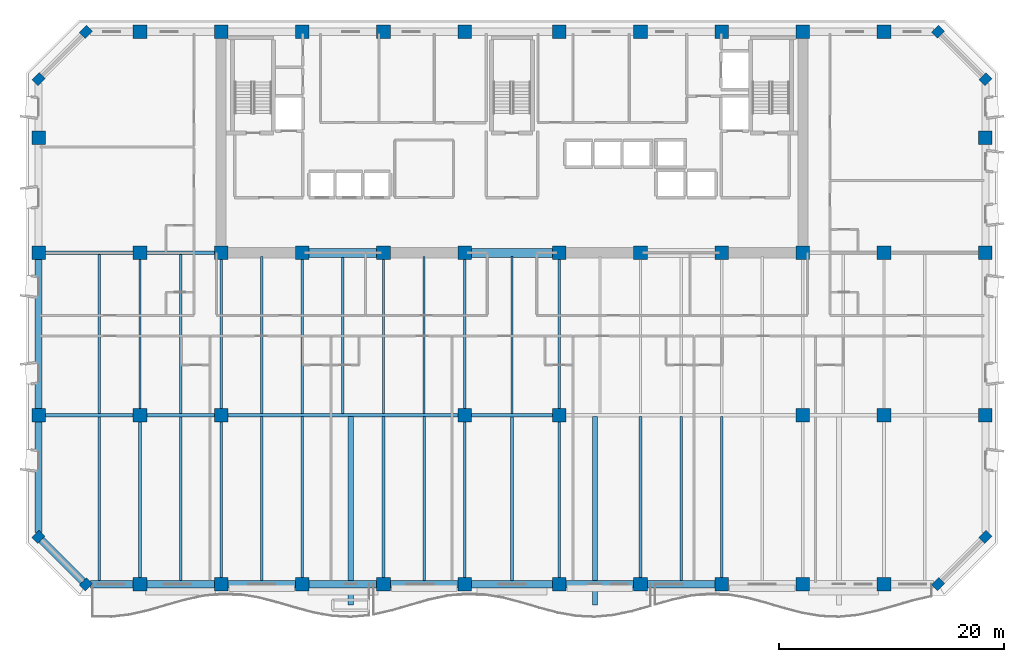
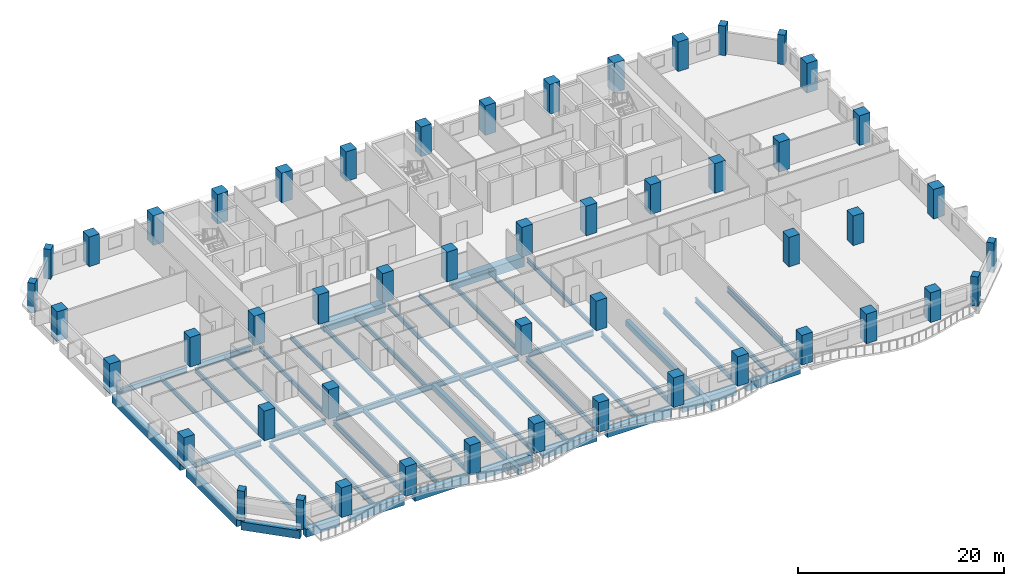
# One storey, part 1 of 15: 50 columns, 47 beams.
"""IFC4 building model written with IfcOpenShell, lengths in metres."""

from ifc_helpers import new_model, si_unit, direction, frame, origin, origin_2d, place, context, subcontext, project, spatial, rectangle, i_section, extrude, material, material_profile, profile_set, type_object, element, save


model = new_model("IFC4")

# Units and contexts
model_context = context("Model", 3, precision=1e-05, world=origin(), true_north=direction((0.0, 1.0)))
body_context = subcontext(model_context, "Body", "Model", "MODEL_VIEW")
ifc_project = project(units=[si_unit("LENGTHUNIT", "METRE"), si_unit("AREAUNIT", "SQUARE_METRE"), si_unit("VOLUMEUNIT", "CUBIC_METRE"), si_unit("PLANEANGLEUNIT", "RADIAN"), si_unit("MASSUNIT", "GRAM", prefix="KILO")], contexts=[model_context])

# Site, building, storey
site_placement = place(None, origin())
site = spatial("IfcSite", under=ifc_project, at=site_placement, CompositionType="ELEMENT")
building_placement = place(site_placement, origin())
building = spatial("IfcBuilding", under=site, at=building_placement, Name="Kaelvorn Grand Hotel", CompositionType="ELEMENT")
storey_placement = place(building_placement, frame((0.0, 0.0, 96.800048828125)))
storey = spatial("IfcBuildingStorey", under=building, at=storey_placement, Name="L22", CompositionType="ELEMENT", Elevation=96.800048828125)

# Columns
ifc_material_1 = material(Name="Concrete C60/75", Category="concrete")
ifc_material_profile_1 = material_profile(ifc_material_1, rectangle(XDim=0.89990234375, YDim=0.75, at=origin_2d()), Name="RC PILASTER 900x750")
ifc_profile_set_1 = profile_set([ifc_material_profile_1], Name="Concrete C60/75")
column_type_1 = type_object("IfcColumnType", Name="COL-PIL-900x750-C60", PredefinedType="PILASTER", material=ifc_profile_set_1)
for number, where, z_axis, x_axis, name in (
    (1, (4.199951171875, 0.0, 0.0), (0.0, 0.0, 1.0), (0.707106781187, 0.707106781187, 0.0), "L22 Structural Column CH-01"),
    (2, (79.800048828125, 0.0, 0.0), (0.0, 0.0, 1.0), (0.707106781187, 0.707106781187, 0.0), "L22 Structural Column CH-02"),
    (3, (84.0, 4.199951171875, 0.0), (0.0, 0.0, 1.0), (0.707106781187, 0.707106781187, 0.0), "L22 Structural Column CH-03"),
    (4, (84.0, 44.800048828125, 0.0), (0.0, 0.0, 1.0), (0.707106781187, 0.707106781187, 0.0), "L22 Structural Column CH-04"),
    (5, (79.800048828125, 49.0, 0.0), (0.0, 0.0, 1.0), (0.707106781187, 0.707106781187, 0.0), "L22 Structural Column CH-05"),
    (6, (4.199951171875, 49.0, 0.0), (0.0, 0.0, 1.0), (0.707106781187, 0.707106781187, 0.0), "L22 Structural Column CH-06"),
    (7, (0.0, 44.800048828125, 0.0), (0.0, 0.0, 1.0), (0.707106781187, 0.707106781187, 0.0), "L22 Structural Column CH-07"),
    (8, (0.0, 4.199951171875, 0.0), (0.0, 0.0, 1.0), (0.707106781187, 0.707106781187, 0.0), "L22 Structural Column CH-08"),
):
    element("IfcColumn", number, at=place(storey_placement, frame(where, z_axis=z_axis, x_axis=x_axis)), inside=storey, type_object=column_type_1, Name=name, PredefinedType="PILASTER", context=body_context, shape_type="SweptSolid", body=[
        extrude(rectangle(XDim=0.89990234375, YDim=0.75, at=origin_2d()), origin(), (0.0, 0.0, 1.0), 3.510009765625),
    ])
ifc_material_profile_2 = material_profile(ifc_material_1, rectangle(XDim=1.199951171875, YDim=1.199951171875, at=origin_2d()), Name="RC COL 1200x1200")
ifc_profile_set_2 = profile_set([ifc_material_profile_2], Name="Concrete C60/75")
column_type_2 = type_object("IfcColumnType", Name="COL-RC-1200-C60", PredefinedType="COLUMN", material=ifc_profile_set_2)
for number, where, z_axis, x_axis, name in (
    (9, (9.0, 0.0, 0.0), (0.0, 0.0, 1.0), (1.0, 0.0, 0.0), "L22 Structural Column S-01"),
    (10, (16.199951171875, 0.0, 0.0), (0.0, 0.0, 1.0), (1.0, 0.0, 0.0), "L22 Structural Column S-02"),
    (11, (23.39990234375, 0.0, 0.0), (0.0, 0.0, 1.0), (1.0, 0.0, 0.0), "L22 Structural Column S-03"),
    (12, (30.60009765625, 0.0, 0.0), (0.0, 0.0, 1.0), (1.0, 0.0, 0.0), "L22 Structural Column S-04"),
    (13, (37.800048828125, 0.0, 0.0), (0.0, 0.0, 1.0), (1.0, 0.0, 0.0), "L22 Structural Column S-05"),
    (14, (46.199951171875, 0.0, 0.0), (0.0, 0.0, 1.0), (1.0, 0.0, 0.0), "L22 Structural Column S-06"),
    (15, (53.39990234375, 0.0, 0.0), (0.0, 0.0, 1.0), (1.0, 0.0, 0.0), "L22 Structural Column S-07"),
    (16, (60.60009765625, 0.0, 0.0), (0.0, 0.0, 1.0), (1.0, 0.0, 0.0), "L22 Structural Column S-08"),
    (17, (67.800048828125, 0.0, 0.0), (0.0, 0.0, 1.0), (1.0, 0.0, 0.0), "L22 Structural Column S-09"),
    (18, (75.0, 0.0, 0.0), (0.0, 0.0, 1.0), (1.0, 0.0, 0.0), "L22 Structural Column S-10"),
    (19, (0.0, 15.0, 0.0), (0.0, 0.0, 1.0), (1.0, 0.0, 0.0), "L22 Structural Column W-01"),
    (20, (84.0, 15.0, 0.0), (0.0, 0.0, 1.0), (1.0, 0.0, 0.0), "L22 Structural Column E-01"),
    (21, (0.0, 29.39990234375, 0.0), (0.0, 0.0, 1.0), (1.0, 0.0, 0.0), "L22 Structural Column W-02"),
    (22, (84.0, 29.39990234375, 0.0), (0.0, 0.0, 1.0), (1.0, 0.0, 0.0), "L22 Structural Column E-02"),
    (23, (0.0, 39.60009765625, 0.0), (0.0, 0.0, 1.0), (1.0, 0.0, 0.0), "L22 Structural Column W-03"),
    (24, (84.0, 39.60009765625, 0.0), (0.0, 0.0, 1.0), (1.0, 0.0, 0.0), "L22 Structural Column E-03"),
    (25, (9.0, 15.0, 0.0), (0.0, 0.0, 1.0), (1.0, 0.0, 0.0), "L22 Structural Column M-01"),
    (26, (16.199951171875, 15.0, 0.0), (0.0, 0.0, 1.0), (1.0, 0.0, 0.0), "L22 Structural Column M-02"),
    (27, (37.800048828125, 15.0, 0.0), (0.0, 0.0, 1.0), (1.0, 0.0, 0.0), "L22 Structural Column M-03"),
    (28, (46.199951171875, 15.0, 0.0), (0.0, 0.0, 1.0), (1.0, 0.0, 0.0), "L22 Structural Column M-04"),
    (29, (67.800048828125, 15.0, 0.0), (0.0, 0.0, 1.0), (1.0, 0.0, 0.0), "L22 Structural Column M-05"),
    (30, (75.0, 15.0, 0.0), (0.0, 0.0, 1.0), (1.0, 0.0, 0.0), "L22 Structural Column M-06"),
    (31, (9.0, 29.39990234375, 0.0), (0.0, 0.0, 1.0), (1.0, 0.0, 0.0), "L22 Structural Column CR1-01"),
    (32, (9.0, 49.0, 0.0), (0.0, 0.0, 1.0), (1.0, 0.0, 0.0), "L22 Structural Column CR2-01"),
    (33, (16.199951171875, 29.39990234375, 0.0), (0.0, 0.0, 1.0), (1.0, 0.0, 0.0), "L22 Structural Column CR1-02"),
    (34, (16.199951171875, 49.0, 0.0), (0.0, 0.0, 1.0), (1.0, 0.0, 0.0), "L22 Structural Column CR2-02"),
    (35, (23.39990234375, 29.39990234375, 0.0), (0.0, 0.0, 1.0), (1.0, 0.0, 0.0), "L22 Structural Column CR1-03"),
    (36, (23.39990234375, 49.0, 0.0), (0.0, 0.0, 1.0), (1.0, 0.0, 0.0), "L22 Structural Column CR2-03"),
    (37, (30.60009765625, 29.39990234375, 0.0), (0.0, 0.0, 1.0), (1.0, 0.0, 0.0), "L22 Structural Column CR1-04"),
    (38, (30.60009765625, 49.0, 0.0), (0.0, 0.0, 1.0), (1.0, 0.0, 0.0), "L22 Structural Column CR2-04"),
    (39, (37.800048828125, 29.39990234375, 0.0), (0.0, 0.0, 1.0), (1.0, 0.0, 0.0), "L22 Structural Column CR1-05"),
    (40, (37.800048828125, 49.0, 0.0), (0.0, 0.0, 1.0), (1.0, 0.0, 0.0), "L22 Structural Column CR2-05"),
    (41, (46.199951171875, 29.39990234375, 0.0), (0.0, 0.0, 1.0), (1.0, 0.0, 0.0), "L22 Structural Column CR1-06"),
    (42, (46.199951171875, 49.0, 0.0), (0.0, 0.0, 1.0), (1.0, 0.0, 0.0), "L22 Structural Column CR2-06"),
    (43, (53.39990234375, 29.39990234375, 0.0), (0.0, 0.0, 1.0), (1.0, 0.0, 0.0), "L22 Structural Column CR1-07"),
    (44, (53.39990234375, 49.0, 0.0), (0.0, 0.0, 1.0), (1.0, 0.0, 0.0), "L22 Structural Column CR2-07"),
    (45, (60.60009765625, 29.39990234375, 0.0), (0.0, 0.0, 1.0), (1.0, 0.0, 0.0), "L22 Structural Column CR1-08"),
    (46, (60.60009765625, 49.0, 0.0), (0.0, 0.0, 1.0), (1.0, 0.0, 0.0), "L22 Structural Column CR2-08"),
    (47, (67.800048828125, 29.39990234375, 0.0), (0.0, 0.0, 1.0), (1.0, 0.0, 0.0), "L22 Structural Column CR1-09"),
    (48, (67.800048828125, 49.0, 0.0), (0.0, 0.0, 1.0), (1.0, 0.0, 0.0), "L22 Structural Column CR2-09"),
    (49, (75.0, 29.39990234375, 0.0), (0.0, 0.0, 1.0), (1.0, 0.0, 0.0), "L22 Structural Column CR1-10"),
    (50, (75.0, 49.0, 0.0), (0.0, 0.0, 1.0), (1.0, 0.0, 0.0), "L22 Structural Column CR2-10"),
):
    element("IfcColumn", number, at=place(storey_placement, frame(where, z_axis=z_axis, x_axis=x_axis)), inside=storey, type_object=column_type_2, Name=name, PredefinedType="COLUMN", context=body_context, shape_type="SweptSolid", body=[
        extrude(rectangle(XDim=1.199951171875, YDim=1.199951171875, at=origin_2d()), origin(), (0.0, 0.0, 1.0), 3.510009765625),
    ])

# Beams
ifc_material_2 = material(Name="Steel S355", Category="steel")
ifc_material_profile_3 = material_profile(ifc_material_2, i_section(OverallWidth=0.300048828125, OverallDepth=0.64990234375, WebThickness=0.01611328125, FlangeThickness=0.031005859375, FilletRadius=0.027099609375, at=origin_2d()), Name="HEB 650")
ifc_profile_set_3 = profile_set([ifc_material_profile_3], Name="Steel S355")
beam_type_1 = type_object("IfcBeamType", Name="BM-G-HEB650-S355", PredefinedType="BEAM", material=ifc_profile_set_3)
beam_1_placement = place(storey_placement, frame((0.5849609375, 15.0, -0.56494140625), z_axis=(1.0, 0.0, 0.0), x_axis=(0.0, 1.0, 0.0)))
element("IfcBeam", 51, at=beam_1_placement, inside=storey, type_object=beam_type_1, Name="L22 Primary Spine Steel Girder G-15 01", PredefinedType="BEAM", context=body_context, shape_type="SweptSolid", body=[
    extrude(i_section(OverallWidth=0.300048828125, OverallDepth=0.64990234375, WebThickness=0.01611328125, FlangeThickness=0.031005859375, FilletRadius=0.027099609375, at=origin_2d()), origin(), (0.0, 0.0, 1.0), 7.830078125),
])
beam_2_placement = place(storey_placement, frame((9.5849609375, 15.0, -0.56494140625), z_axis=(1.0, 0.0, 0.0), x_axis=(0.0, 1.0, 0.0)))
element("IfcBeam", 52, at=beam_2_placement, inside=storey, type_object=beam_type_1, Name="L22 Primary Spine Steel Girder G-15 02", PredefinedType="BEAM", context=body_context, shape_type="SweptSolid", body=[
    extrude(i_section(OverallWidth=0.300048828125, OverallDepth=0.64990234375, WebThickness=0.01611328125, FlangeThickness=0.031005859375, FilletRadius=0.027099609375, at=origin_2d()), origin(), (0.0, 0.0, 1.0), 6.030029296875),
])
beam_3_placement = place(storey_placement, frame((16.784912109375, 15.0, -0.56494140625), z_axis=(1.0, 0.0, 0.0), x_axis=(0.0, 1.0, 0.0)))
element("IfcBeam", 53, at=beam_3_placement, inside=storey, type_object=beam_type_1, Name="L22 Primary Spine Steel Girder G-15 03", PredefinedType="BEAM", context=body_context, shape_type="SweptSolid", body=[
    extrude(i_section(OverallWidth=0.300048828125, OverallDepth=0.64990234375, WebThickness=0.01611328125, FlangeThickness=0.031005859375, FilletRadius=0.027099609375, at=origin_2d()), origin(), (0.0, 0.0, 1.0), 20.43017578125),
])
beam_4_placement = place(storey_placement, frame((38.385009765625, 15.0, -0.56494140625), z_axis=(1.0, 0.0, 0.0), x_axis=(0.0, 1.0, 0.0)))
element("IfcBeam", 54, at=beam_4_placement, inside=storey, type_object=beam_type_1, Name="L22 Primary Spine Steel Girder G-15 04", PredefinedType="BEAM", context=body_context, shape_type="SweptSolid", body=[
    extrude(i_section(OverallWidth=0.300048828125, OverallDepth=0.64990234375, WebThickness=0.01611328125, FlangeThickness=0.031005859375, FilletRadius=0.027099609375, at=origin_2d()), origin(), (0.0, 0.0, 1.0), 7.22998046875),
])
beam_5_placement = place(storey_placement, frame((0.5849609375, 29.39990234375, -0.56494140625), z_axis=(1.0, 0.0, 0.0), x_axis=(0.0, 1.0, 0.0)))
element("IfcBeam", 55, at=beam_5_placement, inside=storey, type_object=beam_type_1, Name="L22 West Core Wing Steel Girder G-29W 01", PredefinedType="BEAM", context=body_context, shape_type="SweptSolid", body=[
    extrude(i_section(OverallWidth=0.300048828125, OverallDepth=0.64990234375, WebThickness=0.01611328125, FlangeThickness=0.031005859375, FilletRadius=0.027099609375, at=origin_2d()), origin(), (0.0, 0.0, 1.0), 7.830078125),
])
beam_6_placement = place(storey_placement, frame((9.5849609375, 29.39990234375, -0.56494140625), z_axis=(1.0, 0.0, 0.0), x_axis=(0.0, 1.0, 0.0)))
element("IfcBeam", 56, at=beam_6_placement, inside=storey, type_object=beam_type_1, Name="L22 West Core Wing Steel Girder G-29W 02", PredefinedType="BEAM", context=body_context, shape_type="SweptSolid", body=[
    extrude(i_section(OverallWidth=0.300048828125, OverallDepth=0.64990234375, WebThickness=0.01611328125, FlangeThickness=0.031005859375, FilletRadius=0.027099609375, at=origin_2d()), origin(), (0.0, 0.0, 1.0), 6.030029296875),
])
ifc_material_profile_4 = material_profile(ifc_material_2, i_section(OverallWidth=0.209228515625, OverallDepth=0.533203125, WebThickness=0.010009765625, FlangeThickness=0.015625, FilletRadius=0.0126953125, at=origin_2d()), Name="UB 533x210x92")
ifc_profile_set_4 = profile_set([ifc_material_profile_4], Name="Steel S355")
beam_type_2 = type_object("IfcBeamType", Name="BM-J-UB533-S355", PredefinedType="JOIST", material=ifc_profile_set_4)
beam_7_placement = place(storey_placement, frame((5.39990234375, 15.135009765625, -0.506591796875), z_axis=(0.0, 1.0, 0.0), x_axis=(-1.0, 0.0, 0.0)))
element("IfcBeam", 57, at=beam_7_placement, inside=storey, type_object=beam_type_2, Name="L22 Composite Floor Joist JM-02", PredefinedType="JOIST", context=body_context, shape_type="SweptSolid", body=[
    extrude(i_section(OverallWidth=0.209228515625, OverallDepth=0.533203125, WebThickness=0.010009765625, FlangeThickness=0.015625, FilletRadius=0.0126953125, at=origin_2d()), origin(), (0.0, 0.0, 1.0), 14.1298828125),
])
beam_8_placement = place(storey_placement, frame((9.0, 15.5849609375, -0.506591796875), z_axis=(0.0, 1.0, 0.0), x_axis=(-1.0, 0.0, 0.0)))
element("IfcBeam", 58, at=beam_8_placement, inside=storey, type_object=beam_type_2, Name="L22 Composite Floor Joist JM-03", PredefinedType="JOIST", context=body_context, shape_type="SweptSolid", body=[
    extrude(i_section(OverallWidth=0.209228515625, OverallDepth=0.533203125, WebThickness=0.010009765625, FlangeThickness=0.015625, FilletRadius=0.0126953125, at=origin_2d()), origin(), (0.0, 0.0, 1.0), 13.22998046875),
])
beam_9_placement = place(storey_placement, frame((12.60009765625, 15.135009765625, -0.506591796875), z_axis=(0.0, 1.0, 0.0), x_axis=(-1.0, 0.0, 0.0)))
element("IfcBeam", 59, at=beam_9_placement, inside=storey, type_object=beam_type_2, Name="L22 Composite Floor Joist JM-04", PredefinedType="JOIST", context=body_context, shape_type="SweptSolid", body=[
    extrude(i_section(OverallWidth=0.209228515625, OverallDepth=0.533203125, WebThickness=0.010009765625, FlangeThickness=0.015625, FilletRadius=0.0126953125, at=origin_2d()), origin(), (0.0, 0.0, 1.0), 14.1298828125),
])
beam_10_placement = place(storey_placement, frame((16.199951171875, 15.5849609375, -0.506591796875), z_axis=(0.0, 1.0, 0.0), x_axis=(-1.0, 0.0, 0.0)))
element("IfcBeam", 60, at=beam_10_placement, inside=storey, type_object=beam_type_2, Name="L22 Composite Floor Joist JM-05", PredefinedType="JOIST", context=body_context, shape_type="SweptSolid", body=[
    extrude(i_section(OverallWidth=0.209228515625, OverallDepth=0.533203125, WebThickness=0.010009765625, FlangeThickness=0.015625, FilletRadius=0.0126953125, at=origin_2d()), origin(), (0.0, 0.0, 1.0), 13.22998046875),
])
beam_11_placement = place(storey_placement, frame((19.800048828125, 15.135009765625, -0.506591796875), z_axis=(0.0, 1.0, 0.0), x_axis=(-1.0, 0.0, 0.0)))
element("IfcBeam", 61, at=beam_11_placement, inside=storey, type_object=beam_type_2, Name="L22 Composite Floor Joist JM-06", PredefinedType="JOIST", context=body_context, shape_type="SweptSolid", body=[
    extrude(i_section(OverallWidth=0.209228515625, OverallDepth=0.533203125, WebThickness=0.010009765625, FlangeThickness=0.015625, FilletRadius=0.0126953125, at=origin_2d()), origin(), (0.0, 0.0, 1.0), 13.925048828125),
])
beam_12_placement = place(storey_placement, frame((23.39990234375, 15.135009765625, -0.506591796875), z_axis=(0.0, 1.0, 0.0), x_axis=(-1.0, 0.0, 0.0)))
element("IfcBeam", 62, at=beam_12_placement, inside=storey, type_object=beam_type_2, Name="L22 Composite Floor Joist JM-07", PredefinedType="JOIST", context=body_context, shape_type="SweptSolid", body=[
    extrude(i_section(OverallWidth=0.209228515625, OverallDepth=0.533203125, WebThickness=0.010009765625, FlangeThickness=0.015625, FilletRadius=0.0126953125, at=origin_2d()), origin(), (0.0, 0.0, 1.0), 13.679931640625),
])
beam_13_placement = place(storey_placement, frame((27.0, 15.135009765625, -0.506591796875), z_axis=(0.0, 1.0, 0.0), x_axis=(-1.0, 0.0, 0.0)))
element("IfcBeam", 63, at=beam_13_placement, inside=storey, type_object=beam_type_2, Name="L22 Composite Floor Joist JM-08", PredefinedType="JOIST", context=body_context, shape_type="SweptSolid", body=[
    extrude(i_section(OverallWidth=0.209228515625, OverallDepth=0.533203125, WebThickness=0.010009765625, FlangeThickness=0.015625, FilletRadius=0.0126953125, at=origin_2d()), origin(), (0.0, 0.0, 1.0), 13.925048828125),
])
beam_14_placement = place(storey_placement, frame((30.60009765625, 15.135009765625, -0.506591796875), z_axis=(0.0, 1.0, 0.0), x_axis=(-1.0, 0.0, 0.0)))
element("IfcBeam", 64, at=beam_14_placement, inside=storey, type_object=beam_type_2, Name="L22 Composite Floor Joist JM-09", PredefinedType="JOIST", context=body_context, shape_type="SweptSolid", body=[
    extrude(i_section(OverallWidth=0.209228515625, OverallDepth=0.533203125, WebThickness=0.010009765625, FlangeThickness=0.015625, FilletRadius=0.0126953125, at=origin_2d()), origin(), (0.0, 0.0, 1.0), 13.679931640625),
])
beam_15_placement = place(storey_placement, frame((34.199951171875, 15.135009765625, -0.506591796875), z_axis=(0.0, 1.0, 0.0), x_axis=(-1.0, 0.0, 0.0)))
element("IfcBeam", 65, at=beam_15_placement, inside=storey, type_object=beam_type_2, Name="L22 Composite Floor Joist JM-10", PredefinedType="JOIST", context=body_context, shape_type="SweptSolid", body=[
    extrude(i_section(OverallWidth=0.209228515625, OverallDepth=0.533203125, WebThickness=0.010009765625, FlangeThickness=0.015625, FilletRadius=0.0126953125, at=origin_2d()), origin(), (0.0, 0.0, 1.0), 13.925048828125),
])
beam_16_placement = place(storey_placement, frame((37.800048828125, 15.5849609375, -0.506591796875), z_axis=(0.0, 1.0, 0.0), x_axis=(-1.0, 0.0, 0.0)))
element("IfcBeam", 66, at=beam_16_placement, inside=storey, type_object=beam_type_2, Name="L22 Composite Floor Joist JM-11", PredefinedType="JOIST", context=body_context, shape_type="SweptSolid", body=[
    extrude(i_section(OverallWidth=0.209228515625, OverallDepth=0.533203125, WebThickness=0.010009765625, FlangeThickness=0.015625, FilletRadius=0.0126953125, at=origin_2d()), origin(), (0.0, 0.0, 1.0), 13.22998046875),
])
beam_17_placement = place(storey_placement, frame((42.0, 15.135009765625, -0.506591796875), z_axis=(0.0, 1.0, 0.0), x_axis=(-1.0, 0.0, 0.0)))
element("IfcBeam", 67, at=beam_17_placement, inside=storey, type_object=beam_type_2, Name="L22 Composite Floor Joist JM-12", PredefinedType="JOIST", context=body_context, shape_type="SweptSolid", body=[
    extrude(i_section(OverallWidth=0.209228515625, OverallDepth=0.533203125, WebThickness=0.010009765625, FlangeThickness=0.015625, FilletRadius=0.0126953125, at=origin_2d()), origin(), (0.0, 0.0, 1.0), 13.925048828125),
])
beam_18_placement = place(storey_placement, frame((46.199951171875, 15.5849609375, -0.506591796875), z_axis=(0.0, 1.0, 0.0), x_axis=(-1.0, 0.0, 0.0)))
element("IfcBeam", 68, at=beam_18_placement, inside=storey, type_object=beam_type_2, Name="L22 Composite Floor Joist JM-13", PredefinedType="JOIST", context=body_context, shape_type="SweptSolid", body=[
    extrude(i_section(OverallWidth=0.209228515625, OverallDepth=0.533203125, WebThickness=0.010009765625, FlangeThickness=0.015625, FilletRadius=0.0126953125, at=origin_2d()), origin(), (0.0, 0.0, 1.0), 13.22998046875),
])
ifc_material_profile_5 = material_profile(ifc_material_2, i_section(OverallWidth=0.22900390625, OverallDepth=0.6123046875, WebThickness=0.011962890625, FlangeThickness=0.01953125, FilletRadius=0.0126953125, at=origin_2d()), Name="UB 610x229x125")
ifc_profile_set_5 = profile_set([ifc_material_profile_5], Name="Steel S355")
beam_type_3 = type_object("IfcBeamType", Name="BM-J-UB610-S355", PredefinedType="JOIST", material=ifc_profile_set_5)
beam_19_placement = place(storey_placement, frame((5.39990234375, 0.31005859375, -0.546142578125), z_axis=(0.0, 1.0, 0.0), x_axis=(-1.0, 0.0, 0.0)))
element("IfcBeam", 69, at=beam_19_placement, inside=storey, type_object=beam_type_3, Name="L22 Composite Floor Joist JS-02", PredefinedType="JOIST", context=body_context, shape_type="SweptSolid", body=[
    extrude(i_section(OverallWidth=0.22900390625, OverallDepth=0.6123046875, WebThickness=0.011962890625, FlangeThickness=0.01953125, FilletRadius=0.0126953125, at=origin_2d()), origin(), (0.0, 0.0, 1.0), 14.554931640625),
])
beam_20_placement = place(storey_placement, frame((9.0, 0.5849609375, -0.546142578125), z_axis=(0.0, 1.0, 0.0), x_axis=(-1.0, 0.0, 0.0)))
element("IfcBeam", 70, at=beam_20_placement, inside=storey, type_object=beam_type_3, Name="L22 Composite Floor Joist JS-03", PredefinedType="JOIST", context=body_context, shape_type="SweptSolid", body=[
    extrude(i_section(OverallWidth=0.22900390625, OverallDepth=0.6123046875, WebThickness=0.011962890625, FlangeThickness=0.01953125, FilletRadius=0.0126953125, at=origin_2d()), origin(), (0.0, 0.0, 1.0), 13.830078125),
])
beam_21_placement = place(storey_placement, frame((12.60009765625, 0.31005859375, -0.546142578125), z_axis=(0.0, 1.0, 0.0), x_axis=(-1.0, 0.0, 0.0)))
element("IfcBeam", 71, at=beam_21_placement, inside=storey, type_object=beam_type_3, Name="L22 Composite Floor Joist JS-04", PredefinedType="JOIST", context=body_context, shape_type="SweptSolid", body=[
    extrude(i_section(OverallWidth=0.22900390625, OverallDepth=0.6123046875, WebThickness=0.011962890625, FlangeThickness=0.01953125, FilletRadius=0.0126953125, at=origin_2d()), origin(), (0.0, 0.0, 1.0), 14.554931640625),
])
beam_22_placement = place(storey_placement, frame((16.199951171875, 0.5849609375, -0.546142578125), z_axis=(0.0, 1.0, 0.0), x_axis=(-1.0, 0.0, 0.0)))
element("IfcBeam", 72, at=beam_22_placement, inside=storey, type_object=beam_type_3, Name="L22 Composite Floor Joist JS-05", PredefinedType="JOIST", context=body_context, shape_type="SweptSolid", body=[
    extrude(i_section(OverallWidth=0.22900390625, OverallDepth=0.6123046875, WebThickness=0.011962890625, FlangeThickness=0.01953125, FilletRadius=0.0126953125, at=origin_2d()), origin(), (0.0, 0.0, 1.0), 13.830078125),
])
beam_23_placement = place(storey_placement, frame((19.800048828125, 0.31005859375, -0.546142578125), z_axis=(0.0, 1.0, 0.0), x_axis=(-1.0, 0.0, 0.0)))
element("IfcBeam", 73, at=beam_23_placement, inside=storey, type_object=beam_type_3, Name="L22 Composite Floor Joist JS-06", PredefinedType="JOIST", context=body_context, shape_type="SweptSolid", body=[
    extrude(i_section(OverallWidth=0.22900390625, OverallDepth=0.6123046875, WebThickness=0.011962890625, FlangeThickness=0.01953125, FilletRadius=0.0126953125, at=origin_2d()), origin(), (0.0, 0.0, 1.0), 14.554931640625),
])
for number, where, z_axis, x_axis, name in (
    (74, (23.39990234375, 0.5849609375, -0.546142578125), (0.0, 1.0, 0.0), (-1.0, 0.0, 0.0), "L22 Composite Floor Joist JS-07"),
    (75, (30.60009765625, 0.5849609375, -0.546142578125), (0.0, 1.0, 0.0), (-1.0, 0.0, 0.0), "L22 Composite Floor Joist JS-09"),
):
    element("IfcBeam", number, at=place(storey_placement, frame(where, z_axis=z_axis, x_axis=x_axis)), inside=storey, type_object=beam_type_3, Name=name, PredefinedType="JOIST", context=body_context, shape_type="SweptSolid", body=[
        extrude(i_section(OverallWidth=0.22900390625, OverallDepth=0.6123046875, WebThickness=0.011962890625, FlangeThickness=0.01953125, FilletRadius=0.0126953125, at=origin_2d()), origin(), (0.0, 0.0, 1.0), 14.280029296875),
    ])
beam_24_placement = place(storey_placement, frame((34.199951171875, 0.31005859375, -0.546142578125), z_axis=(0.0, 1.0, 0.0), x_axis=(-1.0, 0.0, 0.0)))
element("IfcBeam", 76, at=beam_24_placement, inside=storey, type_object=beam_type_3, Name="L22 Composite Floor Joist JS-10", PredefinedType="JOIST", context=body_context, shape_type="SweptSolid", body=[
    extrude(i_section(OverallWidth=0.22900390625, OverallDepth=0.6123046875, WebThickness=0.011962890625, FlangeThickness=0.01953125, FilletRadius=0.0126953125, at=origin_2d()), origin(), (0.0, 0.0, 1.0), 14.554931640625),
])
beam_25_placement = place(storey_placement, frame((37.800048828125, 0.5849609375, -0.546142578125), z_axis=(0.0, 1.0, 0.0), x_axis=(-1.0, 0.0, 0.0)))
element("IfcBeam", 77, at=beam_25_placement, inside=storey, type_object=beam_type_3, Name="L22 Composite Floor Joist JS-11", PredefinedType="JOIST", context=body_context, shape_type="SweptSolid", body=[
    extrude(i_section(OverallWidth=0.22900390625, OverallDepth=0.6123046875, WebThickness=0.011962890625, FlangeThickness=0.01953125, FilletRadius=0.0126953125, at=origin_2d()), origin(), (0.0, 0.0, 1.0), 13.830078125),
])
beam_26_placement = place(storey_placement, frame((42.0, 0.31005859375, -0.546142578125), z_axis=(0.0, 1.0, 0.0), x_axis=(-1.0, 0.0, 0.0)))
element("IfcBeam", 78, at=beam_26_placement, inside=storey, type_object=beam_type_3, Name="L22 Composite Floor Joist JS-12", PredefinedType="JOIST", context=body_context, shape_type="SweptSolid", body=[
    extrude(i_section(OverallWidth=0.22900390625, OverallDepth=0.6123046875, WebThickness=0.011962890625, FlangeThickness=0.01953125, FilletRadius=0.0126953125, at=origin_2d()), origin(), (0.0, 0.0, 1.0), 14.554931640625),
])
beam_27_placement = place(storey_placement, frame((46.199951171875, 0.5849609375, -0.546142578125), z_axis=(0.0, 1.0, 0.0), x_axis=(-1.0, 0.0, 0.0)))
element("IfcBeam", 79, at=beam_27_placement, inside=storey, type_object=beam_type_3, Name="L22 Composite Floor Joist JS-13", PredefinedType="JOIST", context=body_context, shape_type="SweptSolid", body=[
    extrude(i_section(OverallWidth=0.22900390625, OverallDepth=0.6123046875, WebThickness=0.011962890625, FlangeThickness=0.01953125, FilletRadius=0.0126953125, at=origin_2d()), origin(), (0.0, 0.0, 1.0), 13.830078125),
])
beam_28_placement = place(storey_placement, frame((53.39990234375, 0.5849609375, -0.546142578125), z_axis=(0.0, 1.0, 0.0), x_axis=(-1.0, 0.0, 0.0)))
element("IfcBeam", 80, at=beam_28_placement, inside=storey, type_object=beam_type_3, Name="L22 Composite Floor Joist JS-15", PredefinedType="JOIST", context=body_context, shape_type="SweptSolid", body=[
    extrude(i_section(OverallWidth=0.22900390625, OverallDepth=0.6123046875, WebThickness=0.011962890625, FlangeThickness=0.01953125, FilletRadius=0.0126953125, at=origin_2d()), origin(), (0.0, 0.0, 1.0), 14.280029296875),
])
beam_29_placement = place(storey_placement, frame((57.0, 0.31005859375, -0.546142578125), z_axis=(0.0, 1.0, 0.0), x_axis=(-1.0, 0.0, 0.0)))
element("IfcBeam", 81, at=beam_29_placement, inside=storey, type_object=beam_type_3, Name="L22 Composite Floor Joist JS-16", PredefinedType="JOIST", context=body_context, shape_type="SweptSolid", body=[
    extrude(i_section(OverallWidth=0.22900390625, OverallDepth=0.6123046875, WebThickness=0.011962890625, FlangeThickness=0.01953125, FilletRadius=0.0126953125, at=origin_2d()), origin(), (0.0, 0.0, 1.0), 14.554931640625),
])
beam_30_placement = place(storey_placement, frame((60.60009765625, 0.5849609375, -0.546142578125), z_axis=(0.0, 1.0, 0.0), x_axis=(-1.0, 0.0, 0.0)))
element("IfcBeam", 82, at=beam_30_placement, inside=storey, type_object=beam_type_3, Name="L22 Composite Floor Joist JS-17", PredefinedType="JOIST", context=body_context, shape_type="SweptSolid", body=[
    extrude(i_section(OverallWidth=0.22900390625, OverallDepth=0.6123046875, WebThickness=0.011962890625, FlangeThickness=0.01953125, FilletRadius=0.0126953125, at=origin_2d()), origin(), (0.0, 0.0, 1.0), 14.280029296875),
])
ifc_material_profile_6 = material_profile(ifc_material_1, rectangle(XDim=0.800048828125, YDim=1.10009765625, at=origin_2d()), Name="RC LINTEL 800x1100")
ifc_profile_set_6 = profile_set([ifc_material_profile_6], Name="Concrete C60/75")
beam_type_4 = type_object("IfcBeamType", Name="BM-LIN-800x1100-C60", PredefinedType="LINTEL", material=ifc_profile_set_6)
beam_31_placement = place(storey_placement, frame((23.580078125, 29.39990234375, -0.7900390625), z_axis=(1.0, 0.0, 0.0), x_axis=(0.0, 1.0, 0.0)))
element("IfcBeam", 83, at=beam_31_placement, inside=storey, type_object=beam_type_4, Name="L22 Rear-Core Coupling Lintel Beam CB1-01", PredefinedType="LINTEL", context=body_context, shape_type="SweptSolid", body=[
    extrude(rectangle(XDim=0.800048828125, YDim=1.10009765625, at=origin_2d()), origin(), (0.0, 0.0, 1.0), 6.83984375),
])
beam_32_placement = place(storey_placement, frame((37.97998046875, 29.39990234375, -0.7900390625), z_axis=(1.0, 0.0, 0.0), x_axis=(0.0, 1.0, 0.0)))
element("IfcBeam", 84, at=beam_32_placement, inside=storey, type_object=beam_type_4, Name="L22 Rear-Core Coupling Lintel Beam CB1-02", PredefinedType="LINTEL", context=body_context, shape_type="SweptSolid", body=[
    extrude(rectangle(XDim=0.800048828125, YDim=1.10009765625, at=origin_2d()), origin(), (0.0, 0.0, 1.0), 8.0400390625),
])
ifc_material_3 = material(Name="Concrete C40/50", Category="concrete")
ifc_material_profile_7 = material_profile(ifc_material_3, rectangle(XDim=0.449951171875, YDim=0.64990234375, at=origin_2d()), Name="RC RIB 450x650")
ifc_profile_set_7 = profile_set([ifc_material_profile_7], Name="Concrete C40/50")
beam_type_5 = type_object("IfcBeamType", Name="BM-RIB-450x650-C40", PredefinedType="SPANDREL", material=ifc_profile_set_7)
for number, where, z_axis, x_axis, name in (
    (85, (27.69775390625, -1.85009765625, -0.545166015625), (0.0, 1.0, 0.0), (-1.0, 0.0, 0.0), "L22 Cantilevered Balcony Back-Span Rib RB1-1"),
    (86, (49.360107421875, -1.85009765625, -0.545166015625), (0.0, 1.0, 0.0), (-1.0, 0.0, 0.0), "L22 Cantilevered Balcony Back-Span Rib RB1-2"),
):
    element("IfcBeam", number, at=place(storey_placement, frame(where, z_axis=z_axis, x_axis=x_axis)), inside=storey, type_object=beam_type_5, Name=name, PredefinedType="SPANDREL", context=body_context, shape_type="SweptSolid", body=[
        extrude(rectangle(XDim=0.449951171875, YDim=0.64990234375, at=origin_2d()), origin(), (0.0, 0.0, 1.0), 16.715087890625),
    ])
ifc_material_profile_8 = material_profile(ifc_material_1, rectangle(XDim=0.64990234375, YDim=0.949951171875, at=origin_2d()), Name="RC SPANDREL 650x950")
ifc_profile_set_8 = profile_set([ifc_material_profile_8], Name="Concrete C60/75")
beam_type_6 = type_object("IfcBeamType", Name="BM-SP-650x950-C60", PredefinedType="SPANDREL", material=ifc_profile_set_8)
beam_33_placement = place(storey_placement, frame((4.60498046875, 0.0, -0.715087890625), z_axis=(1.0, 0.0, 0.0), x_axis=(0.0, 1.0, 0.0)))
element("IfcBeam", 87, at=beam_33_placement, inside=storey, type_object=beam_type_6, Name="L22 South Perimeter Spandrel 01", PredefinedType="SPANDREL", context=body_context, shape_type="SweptSolid", body=[
    extrude(rectangle(XDim=0.64990234375, YDim=0.949951171875, at=origin_2d()), origin(), (0.0, 0.0, 1.0), 3.81005859375),
])
for number, where, z_axis, x_axis, name in (
    (88, (9.5849609375, 0.0, -0.715087890625), (1.0, 0.0, 0.0), (0.0, 1.0, 0.0), "L22 South Perimeter Spandrel 02"),
    (89, (16.784912109375, 0.0, -0.715087890625), (1.0, 0.0, 0.0), (0.0, 1.0, 0.0), "L22 South Perimeter Spandrel 03"),
):
    element("IfcBeam", number, at=place(storey_placement, frame(where, z_axis=z_axis, x_axis=x_axis)), inside=storey, type_object=beam_type_6, Name=name, PredefinedType="SPANDREL", context=body_context, shape_type="SweptSolid", body=[
        extrude(rectangle(XDim=0.64990234375, YDim=0.949951171875, at=origin_2d()), origin(), (0.0, 0.0, 1.0), 6.030029296875),
    ])
beam_34_placement = place(storey_placement, frame((23.985107421875, 0.0, -0.715087890625), z_axis=(1.0, 0.0, 0.0), x_axis=(0.0, 1.0, 0.0)))
element("IfcBeam", 90, at=beam_34_placement, inside=storey, type_object=beam_type_6, Name="L22 South Perimeter Spandrel 04", PredefinedType="SPANDREL", context=body_context, shape_type="SweptSolid", body=[
    extrude(rectangle(XDim=0.64990234375, YDim=0.949951171875, at=origin_2d()), origin(), (0.0, 0.0, 1.0), 6.02978515625),
])
beam_35_placement = place(storey_placement, frame((31.18505859375, 0.0, -0.715087890625), z_axis=(1.0, 0.0, 0.0), x_axis=(0.0, 1.0, 0.0)))
element("IfcBeam", 91, at=beam_35_placement, inside=storey, type_object=beam_type_6, Name="L22 South Perimeter Spandrel 05", PredefinedType="SPANDREL", context=body_context, shape_type="SweptSolid", body=[
    extrude(rectangle(XDim=0.64990234375, YDim=0.949951171875, at=origin_2d()), origin(), (0.0, 0.0, 1.0), 6.030029296875),
])
beam_36_placement = place(storey_placement, frame((38.385009765625, 0.0, -0.715087890625), z_axis=(1.0, 0.0, 0.0), x_axis=(0.0, 1.0, 0.0)))
element("IfcBeam", 92, at=beam_36_placement, inside=storey, type_object=beam_type_6, Name="L22 South Perimeter Spandrel 06", PredefinedType="SPANDREL", context=body_context, shape_type="SweptSolid", body=[
    extrude(rectangle(XDim=0.64990234375, YDim=0.949951171875, at=origin_2d()), origin(), (0.0, 0.0, 1.0), 7.22998046875),
])
beam_37_placement = place(storey_placement, frame((46.784912109375, 0.0, -0.715087890625), z_axis=(1.0, 0.0, 0.0), x_axis=(0.0, 1.0, 0.0)))
element("IfcBeam", 93, at=beam_37_placement, inside=storey, type_object=beam_type_6, Name="L22 South Perimeter Spandrel 07", PredefinedType="SPANDREL", context=body_context, shape_type="SweptSolid", body=[
    extrude(rectangle(XDim=0.64990234375, YDim=0.949951171875, at=origin_2d()), origin(), (0.0, 0.0, 1.0), 6.030029296875),
])
beam_38_placement = place(storey_placement, frame((53.985107421875, 0.0, -0.715087890625), z_axis=(1.0, 0.0, 0.0), x_axis=(0.0, 1.0, 0.0)))
element("IfcBeam", 94, at=beam_38_placement, inside=storey, type_object=beam_type_6, Name="L22 South Perimeter Spandrel 08", PredefinedType="SPANDREL", context=body_context, shape_type="SweptSolid", body=[
    extrude(rectangle(XDim=0.64990234375, YDim=0.949951171875, at=origin_2d()), origin(), (0.0, 0.0, 1.0), 6.02978515625),
])
beam_39_placement = place(storey_placement, frame((0.0, 4.60498046875, -0.715087890625), z_axis=(0.0, 1.0, 0.0), x_axis=(-1.0, 0.0, 0.0)))
element("IfcBeam", 95, at=beam_39_placement, inside=storey, type_object=beam_type_6, Name="L22 West Perimeter Spandrel 01", PredefinedType="SPANDREL", context=body_context, shape_type="SweptSolid", body=[
    extrude(rectangle(XDim=0.64990234375, YDim=0.949951171875, at=origin_2d()), origin(), (0.0, 0.0, 1.0), 9.81005859375),
])
beam_40_placement = place(storey_placement, frame((0.0, 15.5849609375, -0.715087890625), z_axis=(0.0, 1.0, 0.0), x_axis=(-1.0, 0.0, 0.0)))
element("IfcBeam", 96, at=beam_40_placement, inside=storey, type_object=beam_type_6, Name="L22 West Perimeter Spandrel 02", PredefinedType="SPANDREL", context=body_context, shape_type="SweptSolid", body=[
    extrude(rectangle(XDim=0.64990234375, YDim=0.949951171875, at=origin_2d()), origin(), (0.0, 0.0, 1.0), 13.22998046875),
])
beam_41_placement = place(storey_placement, frame((0.0, 4.199951171875, -0.715087890625), z_axis=(0.707106781187, -0.707106781187, 0.0), x_axis=(0.707106781187, 0.707106781187, 0.0)))
element("IfcBeam", 97, at=beam_41_placement, inside=storey, type_object=beam_type_6, Name="L22 Chamfer Spandrel Beam 4", PredefinedType="SPANDREL", context=body_context, shape_type="SweptSolid", body=[
    extrude(rectangle(XDim=0.64990234375, YDim=0.949951171875, at=origin_2d()), origin(), (0.0, 0.0, 1.0), 5.939697265625),
])

save(model, "model.ifc")
